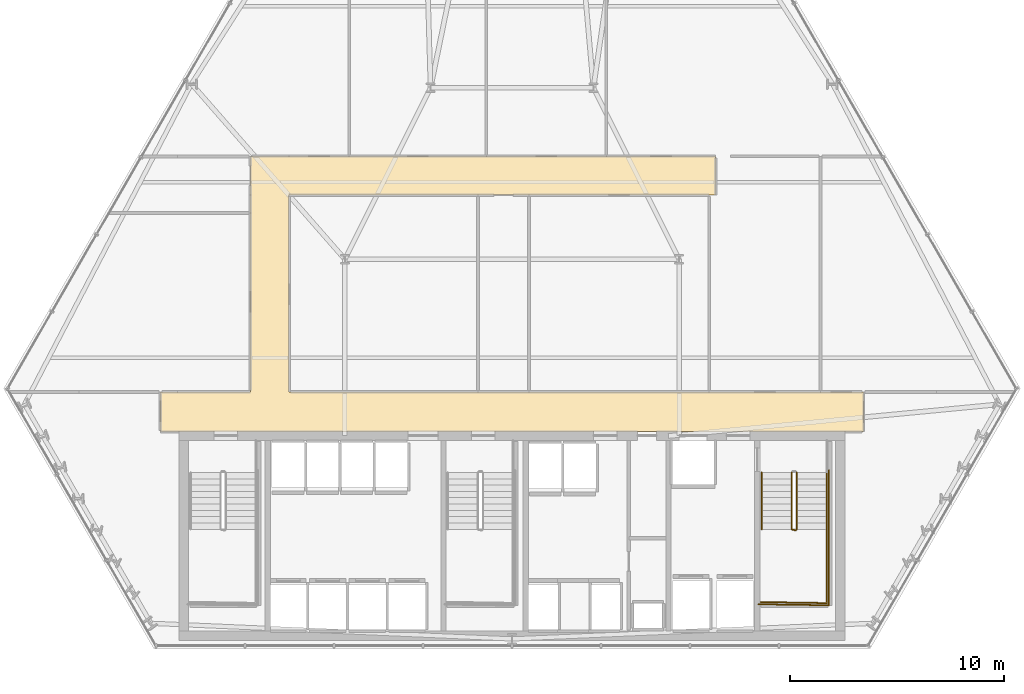
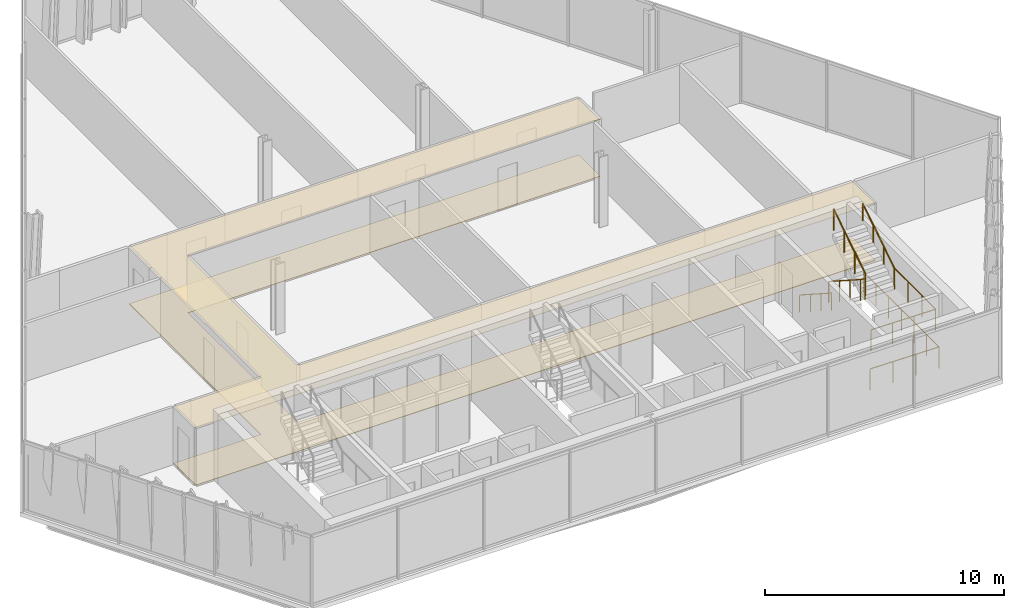
# One storey, part 31 of 32: 6 railings, 2 coverings.
"""IFC4 building model written with IfcOpenShell, lengths in metres."""

from ifc_helpers import new_model, si_unit, direction, frame, origin, origin_2d, place, context, subcontext, project, spatial, polyline, circle, outline, extrude, material, layer, layer_set, type_object, element, save


model = new_model("IFC4")

# Units and contexts
model_context = context("Model", 3, precision=1e-05, world=origin(), true_north=direction((0.0, 1.0)))
body_context = subcontext(model_context, "Body", "Model", "MODEL_VIEW")
ifc_project = project(units=[si_unit("LENGTHUNIT", "METRE"), si_unit("AREAUNIT", "SQUARE_METRE"), si_unit("VOLUMEUNIT", "CUBIC_METRE"), si_unit("PLANEANGLEUNIT", "RADIAN"), si_unit("MASSUNIT", "GRAM", prefix="KILO")], contexts=[model_context])

# Site, building, storey
site_placement = place(None, origin())
site = spatial("IfcSite", under=ifc_project, at=site_placement, CompositionType="ELEMENT")
building_placement = place(site_placement, origin())
building = spatial("IfcBuilding", under=site, at=building_placement, Name="Ndaravel Arena Tower", CompositionType="ELEMENT")
storey_placement = place(building_placement, frame((0.0, 0.0, 96.800048828125)))
storey = spatial("IfcBuildingStorey", under=building, at=storey_placement, Name="L22", CompositionType="ELEMENT", Elevation=96.800048828125)

# Coverings
ifc_material_1 = material(Name="Acoustic Ceiling Tile", Category="finish")
ifc_layer_1 = layer(ifc_material_1, 0.02490234375)
ifc_layer_set_1 = layer_set([ifc_layer_1], Name="Acoustic Ceiling Tile")
covering_type_1 = type_object("IfcCoveringType", Name="COV-CEIL-AC600", PredefinedType="CEILING", material=ifc_layer_set_1)
covering_1_placement = place(storey_placement, frame((0.0, 0.0, 2.919921875)))
element("IfcCovering", 1, at=covering_1_placement, inside=storey, type_object=covering_type_1, Name="L22 Corridor Acoustic Ceiling", PredefinedType="CEILING", context=body_context, shape_type="SweptSolid", body=[
    extrude(outline(polyline([(58.39990234375, 17.0), (31.60009765625, 17.0), (31.60009765625, 26.199951171875), (51.5, 26.199951171875), (51.5, 28.0), (31.60009765625, 28.0), (29.800048828125, 28.0), (29.800048828125, 26.199951171875), (29.800048828125, 17.0), (25.60009765625, 17.0), (25.60009765625, 15.14990234375), (58.39990234375, 15.14990234375), (58.39990234375, 17.0)])), origin(), (0.0, 0.0, 1.0), 0.025146484375),
])
ifc_material_2 = material(Name="Terrazzo", Category="stone")
ifc_layer_2 = layer(ifc_material_2, 0.030029296875)
ifc_layer_set_2 = layer_set([ifc_layer_2], Name="Terrazzo")
covering_type_2 = type_object("IfcCoveringType", Name="COV-FLOOR-TERRAZZO", PredefinedType="FLOORING", material=ifc_layer_set_2)
covering_2_placement = place(storey_placement, origin())
element("IfcCovering", 2, at=covering_2_placement, inside=storey, type_object=covering_type_2, Name="L22 Corridor Terrazzo Flooring", PredefinedType="FLOORING", context=body_context, shape_type="SweptSolid", body=[
    extrude(outline(polyline([(58.39990234375, 17.0), (31.60009765625, 17.0), (31.60009765625, 26.199951171875), (51.5, 26.199951171875), (51.5, 28.0), (31.60009765625, 28.0), (29.800048828125, 28.0), (29.800048828125, 26.199951171875), (29.800048828125, 17.0), (25.60009765625, 17.0), (25.60009765625, 15.14990234375), (58.39990234375, 15.14990234375), (58.39990234375, 17.0)])), origin(), (0.0, 0.0, 1.0), 0.030029296875),
])

# Railings
ifc_material_3 = material(Name="Steel S355", Category="steel")
ifc_layer_3 = layer(ifc_material_3, 0.06005859375)
ifc_layer_set_3 = layer_set([ifc_layer_3], Name="Steel S355")
railing_type_1 = type_object("IfcRailingType", Name="RAIL-STAIR-GD1100", PredefinedType="GUARDRAIL", material=ifc_layer_set_3)
railing_1_placement = place(storey_placement, frame((55.050048828125, 13.25, 0.18994140625)))
element("IfcRailing", 3, at=railing_1_placement, inside=storey, type_object=railing_type_1, Name="L22 ST-3 stair guard 1", PredefinedType="GUARDRAIL", context=body_context, shape_type="SweptSolid", body=[
    extrude(circle(Radius=0.02392578125, at=origin_2d()), frame((0.0, 0.0, 1.076171875), z_axis=(0.0, -0.840723540582, 0.54146461409), x_axis=(1.0, 0.0, 0.0)), (0.0, 0.0, 1.0), 3.157958984375),
    extrude(circle(Radius=0.02392578125, at=origin_2d()), frame((0.0, -2.655029296875, 2.7861328125), z_axis=(0.966993988697, -0.254799187253, 0.0), x_axis=(0.254799187253, 0.966993988697, 0.0)), (0.0, 0.0, 1.0), 0.196533203125),
    extrude(circle(Radius=0.02099609375, at=origin_2d()), origin(), (0.0, 0.0, 1.0), 1.052001953125),
    extrude(circle(Radius=0.02099609375, at=origin_2d()), frame((0.0, -0.885009765625, 0.570068359375)), (0.0, 0.0, 1.0), 1.052001953125),
    extrude(circle(Radius=0.02099609375, at=origin_2d()), frame((0.0, -1.77001953125, 1.139892578125)), (0.0, 0.0, 1.0), 1.052001953125),
    extrude(circle(Radius=0.02099609375, at=origin_2d()), frame((0.0, -2.655029296875, 1.7099609375)), (0.0, 0.0, 1.0), 1.052001953125),
    extrude(circle(Radius=0.02099609375, at=origin_2d()), frame((0.18994140625, -2.705078125, 1.7099609375)), (0.0, 0.0, 1.0), 1.052001953125),
])
railing_2_placement = place(storey_placement, frame((56.68994140625, 10.594970703125, 1.89990234375)))
element("IfcRailing", 4, at=railing_2_placement, inside=storey, type_object=railing_type_1, Name="L22 ST-3 stair guard 2", PredefinedType="GUARDRAIL", context=body_context, shape_type="SweptSolid", body=[
    extrude(circle(Radius=0.02392578125, at=origin_2d()), frame((0.0, 0.0, 1.076171875), z_axis=(0.0, -1.0, 0.0), x_axis=(1.0, 0.0, 0.0)), (0.0, 0.0, 1.0), 3.445068359375),
    extrude(circle(Radius=0.02392578125, at=origin_2d()), frame((0.0, -3.445068359375, 1.076171875), z_axis=(-0.999868840623, 0.016195726322, 0.0), x_axis=(-0.016195726322, -0.999868840623, 0.0)), (0.0, 0.0, 1.0), 3.09033203125),
    extrude(circle(Radius=0.02099609375, at=origin_2d()), origin(), (0.0, 0.0, 1.0), 1.052001953125),
    extrude(circle(Radius=0.02099609375, at=origin_2d()), frame((0.0, -1.1484375, 0.0)), (0.0, 0.0, 1.0), 1.052001953125),
    extrude(circle(Radius=0.02099609375, at=origin_2d()), frame((0.0, -2.296630859375, 0.0)), (0.0, 0.0, 1.0), 1.052001953125),
    extrude(circle(Radius=0.02099609375, at=origin_2d()), frame((0.0, -3.445068359375, 0.0)), (0.0, 0.0, 1.0), 1.052001953125),
    extrude(circle(Radius=0.02099609375, at=origin_2d()), frame((-1.030029296875, -3.428466796875, 0.0)), (0.0, 0.0, 1.0), 1.052001953125),
    extrude(circle(Radius=0.02099609375, at=origin_2d()), frame((-2.059814453125, -3.41162109375, 0.0)), (0.0, 0.0, 1.0), 1.052001953125),
    extrude(circle(Radius=0.02099609375, at=origin_2d()), frame((-3.08984375, -3.39501953125, 0.0)), (0.0, 0.0, 1.0), 1.052001953125),
])
railing_3_placement = place(storey_placement, frame((55.2900390625, 10.594970703125, 2.08984375)))
element("IfcRailing", 5, at=railing_3_placement, inside=storey, type_object=railing_type_1, Name="L22 ST-3 stair guard 3", PredefinedType="GUARDRAIL", context=body_context, shape_type="SweptSolid", body=[
    extrude(circle(Radius=0.02392578125, at=origin_2d()), frame((0.0, 0.0, 1.076171875), z_axis=(0.0, 0.840688348013, 0.541519253134), x_axis=(-1.0, 0.0, 0.0)), (0.0, 0.0, 1.0), 3.158203125),
    extrude(circle(Radius=0.02099609375, at=origin_2d()), origin(), (0.0, 0.0, 1.0), 1.052001953125),
    extrude(circle(Radius=0.02099609375, at=origin_2d()), frame((0.0, 0.885009765625, 0.570068359375)), (0.0, 0.0, 1.0), 1.052001953125),
    extrude(circle(Radius=0.02099609375, at=origin_2d()), frame((0.0, 1.77001953125, 1.14013671875)), (0.0, 0.0, 1.0), 1.052001953125),
    extrude(circle(Radius=0.02099609375, at=origin_2d()), frame((0.0, 2.655029296875, 1.710205078125)), (0.0, 0.0, 1.0), 1.052001953125),
])
railing_4_placement = place(storey_placement, frame((56.7900390625, 13.35009765625, 0.0)))
element("IfcRailing", 6, at=railing_4_placement, inside=storey, type_object=railing_type_1, Name="L22 ST-3 stair guard 6", PredefinedType="GUARDRAIL", context=body_context, shape_type="SweptSolid", body=[
    extrude(circle(Radius=0.02392578125, at=origin_2d()), frame((0.0, 0.0, 1.076171875), z_axis=(0.0, -1.0, 0.0), x_axis=(1.0, 0.0, 0.0)), (0.0, 0.0, 1.0), 6.300048828125),
    extrude(circle(Radius=0.02392578125, at=origin_2d()), frame((0.0, -6.300048828125, 1.076171875), z_axis=(-0.99988431412, 0.015210469308, 0.0), x_axis=(-0.015210469308, -0.99988431412, 0.0)), (0.0, 0.0, 1.0), 3.29052734375),
    extrude(circle(Radius=0.02099609375, at=origin_2d()), origin(), (0.0, 0.0, 1.0), 1.052001953125),
    extrude(circle(Radius=0.02099609375, at=origin_2d()), frame((0.0, -1.050048828125, 0.0)), (0.0, 0.0, 1.0), 1.052001953125),
    extrude(circle(Radius=0.02099609375, at=origin_2d()), frame((0.0, -2.10009765625, 0.0)), (0.0, 0.0, 1.0), 1.052001953125),
    extrude(circle(Radius=0.02099609375, at=origin_2d()), frame((0.0, -3.14990234375, 0.0)), (0.0, 0.0, 1.0), 1.052001953125),
    extrude(circle(Radius=0.02099609375, at=origin_2d()), frame((0.0, -4.199951171875, 0.0)), (0.0, 0.0, 1.0), 1.052001953125),
    extrude(circle(Radius=0.02099609375, at=origin_2d()), frame((0.0, -5.25, 0.0)), (0.0, 0.0, 1.0), 1.052001953125),
    extrude(circle(Radius=0.02099609375, at=origin_2d()), frame((0.0, -6.300048828125, 0.0)), (0.0, 0.0, 1.0), 1.052001953125),
    extrude(circle(Radius=0.02099609375, at=origin_2d()), frame((-1.0966796875, -6.283447265625, 0.0)), (0.0, 0.0, 1.0), 1.052001953125),
    extrude(circle(Radius=0.02099609375, at=origin_2d()), frame((-2.193359375, -6.2666015625, 0.0)), (0.0, 0.0, 1.0), 1.052001953125),
    extrude(circle(Radius=0.02099609375, at=origin_2d()), frame((-3.2900390625, -6.25, 0.0)), (0.0, 0.0, 1.0), 1.052001953125),
])
ifc_material_4 = material(Name="Steel S355", Category="steel")
ifc_layer_4 = layer(ifc_material_4, 0.050048828125)
ifc_layer_set_4 = layer_set([ifc_layer_4], Name="Steel S355")
railing_type_2 = type_object("IfcRailingType", Name="RAIL-STAIR-HR920", PredefinedType="HANDRAIL", material=ifc_layer_set_4)
railing_5_placement = place(storey_placement, frame((53.64990234375, 13.25, 0.18994140625)))
element("IfcRailing", 7, at=railing_5_placement, inside=storey, type_object=railing_type_2, Name="L22 ST-3 stair handrail 1", PredefinedType="HANDRAIL", context=body_context, shape_type="SweptSolid", body=[
    extrude(circle(Radius=0.02392578125, at=origin_2d()), frame((0.0, 0.0, 0.8759765625), z_axis=(0.0, -0.840723540582, 0.54146461409), x_axis=(1.0, 0.0, 0.0)), (0.0, 0.0, 1.0), 3.157958984375),
    extrude(circle(Radius=0.02099609375, at=origin_2d()), origin(), (0.0, 0.0, 1.0), 0.851806640625),
    extrude(circle(Radius=0.02099609375, at=origin_2d()), frame((0.0, -0.885009765625, 0.570068359375)), (0.0, 0.0, 1.0), 0.851806640625),
    extrude(circle(Radius=0.02099609375, at=origin_2d()), frame((0.0, -1.77001953125, 1.139892578125)), (0.0, 0.0, 1.0), 0.851806640625),
    extrude(circle(Radius=0.02099609375, at=origin_2d()), frame((0.0, -2.655029296875, 1.7099609375)), (0.0, 0.0, 1.0), 0.851806640625),
])
railing_6_placement = place(storey_placement, frame((56.68994140625, 10.594970703125, 2.08984375)))
element("IfcRailing", 8, at=railing_6_placement, inside=storey, type_object=railing_type_2, Name="L22 ST-3 stair handrail 2", PredefinedType="HANDRAIL", context=body_context, shape_type="SweptSolid", body=[
    extrude(circle(Radius=0.02392578125, at=origin_2d()), frame((0.0, 0.0, 0.8759765625), z_axis=(0.0, 0.840688348013, 0.541519253134), x_axis=(-1.0, 0.0, 0.0)), (0.0, 0.0, 1.0), 3.158203125),
    extrude(circle(Radius=0.02099609375, at=origin_2d()), origin(), (0.0, 0.0, 1.0), 0.851806640625),
    extrude(circle(Radius=0.02099609375, at=origin_2d()), frame((0.0, 0.885009765625, 0.570068359375)), (0.0, 0.0, 1.0), 0.851806640625),
    extrude(circle(Radius=0.02099609375, at=origin_2d()), frame((0.0, 1.77001953125, 1.14013671875)), (0.0, 0.0, 1.0), 0.851806640625),
    extrude(circle(Radius=0.02099609375, at=origin_2d()), frame((0.0, 2.655029296875, 1.710205078125)), (0.0, 0.0, 1.0), 0.851806640625),
])

save(model, "model.ifc")
